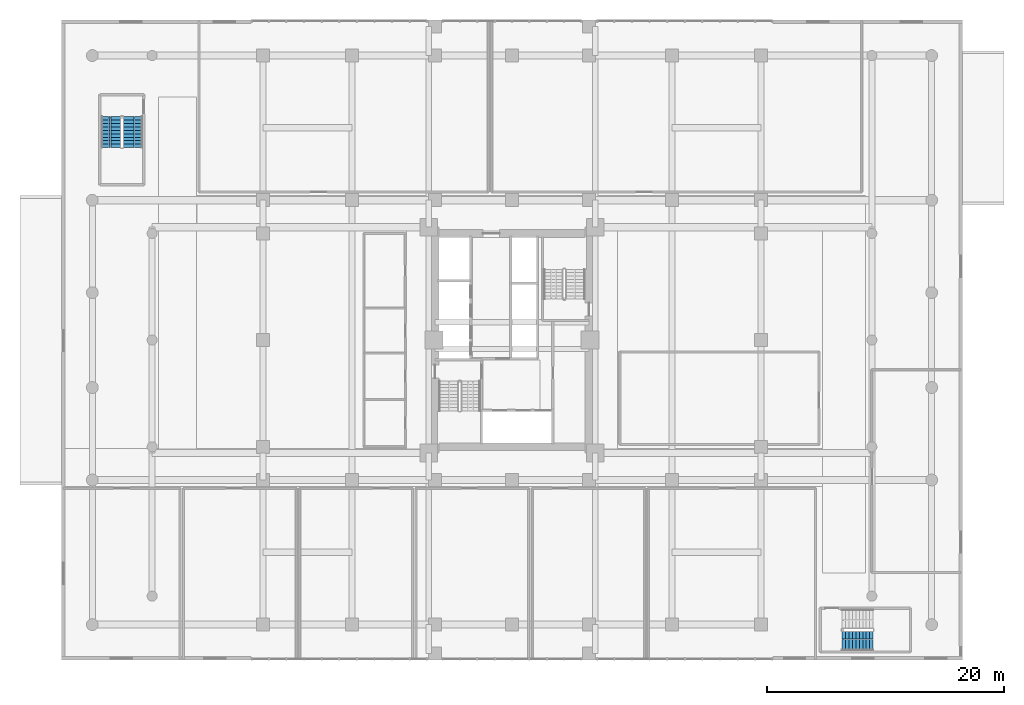
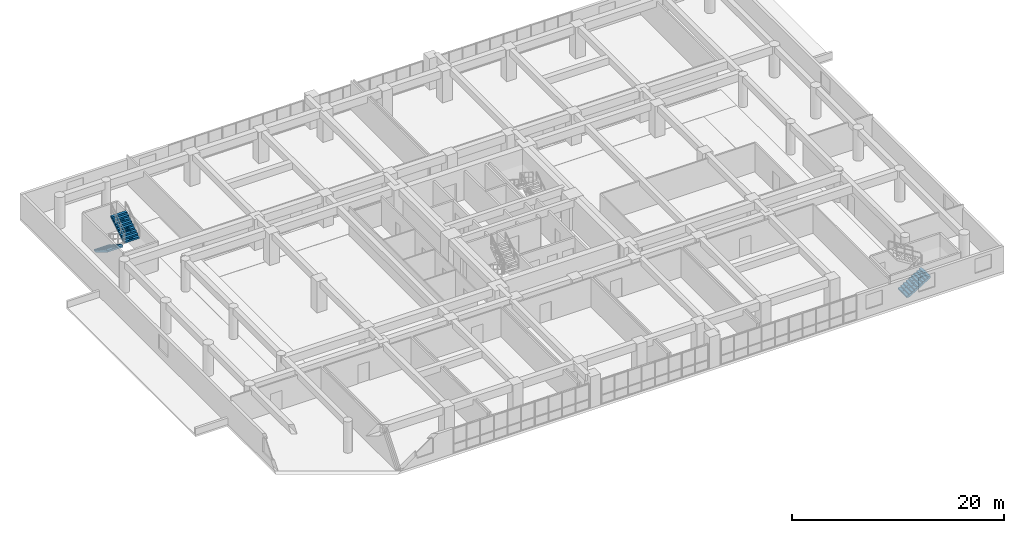
# One storey, part 20 of 27: 3 stair flights, 2 elements without a shape of their own.
"""IFC4 building model written with IfcOpenShell, lengths in metres."""

from ifc_helpers import new_model, si_unit, direction, frame, origin, place, context, subcontext, project, spatial, polyline, outline, extrude, material, type_object, element, aggregate, save


model = new_model("IFC4")

# Units and contexts
model_context = context("Model", 3, precision=1e-05, world=origin(), true_north=direction((0.0, 1.0)))
body_context = subcontext(model_context, "Body", "Model", "MODEL_VIEW")
ifc_project = project(units=[si_unit("LENGTHUNIT", "METRE"), si_unit("AREAUNIT", "SQUARE_METRE"), si_unit("VOLUMEUNIT", "CUBIC_METRE"), si_unit("PLANEANGLEUNIT", "RADIAN"), si_unit("MASSUNIT", "GRAM", prefix="KILO")], contexts=[model_context])

# Site, building, storey
site_placement = place(None, origin())
site = spatial("IfcSite", under=ifc_project, at=site_placement, CompositionType="ELEMENT")
building_placement = place(site_placement, origin())
building = spatial("IfcBuilding", under=site, at=building_placement, Name="Saelheon Loggia Tower", CompositionType="ELEMENT")
storey_placement = place(building_placement, frame((0.0, 0.0, 4.199951171875)))
storey = spatial("IfcBuildingStorey", under=building, at=storey_placement, Name="L01", CompositionType="ELEMENT", Elevation=4.199951171875)

# Stair, stair flights
ifc_material = material(Name="Concrete C40/50", Category="concrete")
stair_type = type_object("IfcStairType", Name="Stair_Escape_Podium", PredefinedType="HALF_TURN_STAIR", material=ifc_material)
stair_1_placement = place(storey_placement, origin())
stair_1 = element("IfcStair", 1, at=stair_1_placement, inside=storey, type_object=stair_type, Name="L01 Podium Escape Stair ST3", PredefinedType="HALF_TURN_STAIR")
stair_flight_type = type_object("IfcStairFlightType", Name="StairFlight_Podium_1660", PredefinedType="STRAIGHT", material=ifc_material)
stair_flight_1_placement = place(storey_placement, frame((4.179931640625, 45.85009765625, 0.0), z_axis=(0.0, 0.0, 1.0), x_axis=(0.0, -1.0, 0.0)))
stair_flight_1 = element("IfcStairFlight", 2, at=stair_flight_1_placement, type_object=stair_flight_type, Name="ST3 flight 1", NumberOfRisers=10, NumberOfTreads=9, PredefinedType="STRAIGHT", RiserHeight=0.18, TreadLength=0.29, context=body_context, shape_type="SweptSolid", body=[
    extrude(outline(polyline([(0.0, 0.0), (0.0, 0.179931640625), (0.2900390625, 0.179931640625), (0.2900390625, 0.360107421875), (0.580078125, 0.360107421875), (0.580078125, 0.5400390625), (0.8701171875, 0.5400390625), (0.8701171875, 0.719970703125), (1.159912109375, 0.719970703125), (1.159912109375, 0.89990234375), (1.449951171875, 0.89990234375), (1.449951171875, 1.080078125), (1.739990234375, 1.080078125), (1.739990234375, 1.260009765625), (2.030029296875, 1.260009765625), (2.030029296875, 1.43994140625), (2.320068359375, 1.43994140625), (2.320068359375, 1.6201171875), (2.610107421875, 1.6201171875), (2.610107421875, 1.800048828125), (2.610107421875, 1.408203125), (0.34130859375, 0.0), (0.0, 0.0)])), frame((0.0, -0.2490234375, 0.0), z_axis=(0.0, -1.0, 0.0), x_axis=(1.0, 0.0, 0.0)), (0.0, 0.0, 1.0), 0.5810546875),
    extrude(outline(polyline([(0.0, 0.0), (0.0, 0.179931640625), (0.2900390625, 0.179931640625), (0.2900390625, 0.360107421875), (0.580078125, 0.360107421875), (0.580078125, 0.5400390625), (0.8701171875, 0.5400390625), (0.8701171875, 0.719970703125), (1.159912109375, 0.719970703125), (1.159912109375, 0.89990234375), (1.449951171875, 0.89990234375), (1.449951171875, 1.080078125), (1.739990234375, 1.080078125), (1.739990234375, 1.260009765625), (2.030029296875, 1.260009765625), (2.030029296875, 1.43994140625), (2.320068359375, 1.43994140625), (2.320068359375, 1.6201171875), (2.610107421875, 1.6201171875), (2.610107421875, 1.800048828125), (2.610107421875, 1.408203125), (0.34130859375, 0.0), (0.0, 0.0)])), frame((0.0, -0.194091796875, 0.0), z_axis=(0.0, -1.0, 0.0), x_axis=(1.0, 0.0, 0.0)), (0.0, 0.0, 1.0), 0.0498046875),
    extrude(outline(polyline([(0.0, 0.0), (0.0, 0.179931640625), (0.2900390625, 0.179931640625), (0.2900390625, 0.360107421875), (0.580078125, 0.360107421875), (0.580078125, 0.5400390625), (0.8701171875, 0.5400390625), (0.8701171875, 0.719970703125), (1.159912109375, 0.719970703125), (1.159912109375, 0.89990234375), (1.449951171875, 0.89990234375), (1.449951171875, 1.080078125), (1.739990234375, 1.080078125), (1.739990234375, 1.260009765625), (2.030029296875, 1.260009765625), (2.030029296875, 1.43994140625), (2.320068359375, 1.43994140625), (2.320068359375, 1.6201171875), (2.610107421875, 1.6201171875), (2.610107421875, 1.800048828125), (2.610107421875, 1.408203125), (0.34130859375, 0.0), (0.0, 0.0)])), frame((0.0, -0.139404296875, 0.0), z_axis=(0.0, -1.0, 0.0), x_axis=(1.0, 0.0, 0.0)), (0.0, 0.0, 1.0), 0.0498046875),
    extrude(outline(polyline([(0.0, 0.0), (0.0, 0.179931640625), (0.2900390625, 0.179931640625), (0.2900390625, 0.360107421875), (0.580078125, 0.360107421875), (0.580078125, 0.5400390625), (0.8701171875, 0.5400390625), (0.8701171875, 0.719970703125), (1.159912109375, 0.719970703125), (1.159912109375, 0.89990234375), (1.449951171875, 0.89990234375), (1.449951171875, 1.080078125), (1.739990234375, 1.080078125), (1.739990234375, 1.260009765625), (2.030029296875, 1.260009765625), (2.030029296875, 1.43994140625), (2.320068359375, 1.43994140625), (2.320068359375, 1.6201171875), (2.610107421875, 1.6201171875), (2.610107421875, 1.800048828125), (2.610107421875, 1.408203125), (0.34130859375, 0.0), (0.0, 0.0)])), frame((0.0, -0.084716796875, 0.0), z_axis=(0.0, -1.0, 0.0), x_axis=(1.0, 0.0, 0.0)), (0.0, 0.0, 1.0), 0.0498046875),
    extrude(outline(polyline([(0.0, 0.0), (0.0, 0.179931640625), (0.2900390625, 0.179931640625), (0.2900390625, 0.360107421875), (0.580078125, 0.360107421875), (0.580078125, 0.5400390625), (0.8701171875, 0.5400390625), (0.8701171875, 0.719970703125), (1.159912109375, 0.719970703125), (1.159912109375, 0.89990234375), (1.449951171875, 0.89990234375), (1.449951171875, 1.080078125), (1.739990234375, 1.080078125), (1.739990234375, 1.260009765625), (2.030029296875, 1.260009765625), (2.030029296875, 1.43994140625), (2.320068359375, 1.43994140625), (2.320068359375, 1.6201171875), (2.610107421875, 1.6201171875), (2.610107421875, 1.800048828125), (2.610107421875, 1.408203125), (0.34130859375, 0.0), (0.0, 0.0)])), frame((0.0, -0.02978515625, 0.0), z_axis=(0.0, -1.0, 0.0), x_axis=(1.0, 0.0, 0.0)), (0.0, 0.0, 1.0), 0.0498046875),
    extrude(outline(polyline([(0.0, 0.0), (0.0, 0.179931640625), (0.2900390625, 0.179931640625), (0.2900390625, 0.360107421875), (0.580078125, 0.360107421875), (0.580078125, 0.5400390625), (0.8701171875, 0.5400390625), (0.8701171875, 0.719970703125), (1.159912109375, 0.719970703125), (1.159912109375, 0.89990234375), (1.449951171875, 0.89990234375), (1.449951171875, 1.080078125), (1.739990234375, 1.080078125), (1.739990234375, 1.260009765625), (2.030029296875, 1.260009765625), (2.030029296875, 1.43994140625), (2.320068359375, 1.43994140625), (2.320068359375, 1.6201171875), (2.610107421875, 1.6201171875), (2.610107421875, 1.800048828125), (2.610107421875, 1.408203125), (0.34130859375, 0.0), (0.0, 0.0)])), frame((0.0, 0.02490234375, 0.0), z_axis=(0.0, -1.0, 0.0), x_axis=(1.0, 0.0, 0.0)), (0.0, 0.0, 1.0), 0.0498046875),
    extrude(outline(polyline([(0.0, 0.0), (0.0, 0.179931640625), (0.2900390625, 0.179931640625), (0.2900390625, 0.360107421875), (0.580078125, 0.360107421875), (0.580078125, 0.5400390625), (0.8701171875, 0.5400390625), (0.8701171875, 0.719970703125), (1.159912109375, 0.719970703125), (1.159912109375, 0.89990234375), (1.449951171875, 0.89990234375), (1.449951171875, 1.080078125), (1.739990234375, 1.080078125), (1.739990234375, 1.260009765625), (2.030029296875, 1.260009765625), (2.030029296875, 1.43994140625), (2.320068359375, 1.43994140625), (2.320068359375, 1.6201171875), (2.610107421875, 1.6201171875), (2.610107421875, 1.800048828125), (2.610107421875, 1.408203125), (0.34130859375, 0.0), (0.0, 0.0)])), frame((0.0, 0.07958984375, 0.0), z_axis=(0.0, -1.0, 0.0), x_axis=(1.0, 0.0, 0.0)), (0.0, 0.0, 1.0), 0.0498046875),
    extrude(outline(polyline([(0.0, 0.0), (0.0, 0.179931640625), (0.2900390625, 0.179931640625), (0.2900390625, 0.360107421875), (0.580078125, 0.360107421875), (0.580078125, 0.5400390625), (0.8701171875, 0.5400390625), (0.8701171875, 0.719970703125), (1.159912109375, 0.719970703125), (1.159912109375, 0.89990234375), (1.449951171875, 0.89990234375), (1.449951171875, 1.080078125), (1.739990234375, 1.080078125), (1.739990234375, 1.260009765625), (2.030029296875, 1.260009765625), (2.030029296875, 1.43994140625), (2.320068359375, 1.43994140625), (2.320068359375, 1.6201171875), (2.610107421875, 1.6201171875), (2.610107421875, 1.800048828125), (2.610107421875, 1.408203125), (0.34130859375, 0.0), (0.0, 0.0)])), frame((0.0, 0.134521484375, 0.0), z_axis=(0.0, -1.0, 0.0), x_axis=(1.0, 0.0, 0.0)), (0.0, 0.0, 1.0), 0.0498046875),
    extrude(outline(polyline([(0.0, 0.0), (0.0, 0.179931640625), (0.2900390625, 0.179931640625), (0.2900390625, 0.360107421875), (0.580078125, 0.360107421875), (0.580078125, 0.5400390625), (0.8701171875, 0.5400390625), (0.8701171875, 0.719970703125), (1.159912109375, 0.719970703125), (1.159912109375, 0.89990234375), (1.449951171875, 0.89990234375), (1.449951171875, 1.080078125), (1.739990234375, 1.080078125), (1.739990234375, 1.260009765625), (2.030029296875, 1.260009765625), (2.030029296875, 1.43994140625), (2.320068359375, 1.43994140625), (2.320068359375, 1.6201171875), (2.610107421875, 1.6201171875), (2.610107421875, 1.800048828125), (2.610107421875, 1.408203125), (0.34130859375, 0.0), (0.0, 0.0)])), frame((0.0, 0.189208984375, 0.0), z_axis=(0.0, -1.0, 0.0), x_axis=(1.0, 0.0, 0.0)), (0.0, 0.0, 1.0), 0.0498046875),
    extrude(outline(polyline([(0.0, 0.0), (0.0, 0.179931640625), (0.2900390625, 0.179931640625), (0.2900390625, 0.360107421875), (0.580078125, 0.360107421875), (0.580078125, 0.5400390625), (0.8701171875, 0.5400390625), (0.8701171875, 0.719970703125), (1.159912109375, 0.719970703125), (1.159912109375, 0.89990234375), (1.449951171875, 0.89990234375), (1.449951171875, 1.080078125), (1.739990234375, 1.080078125), (1.739990234375, 1.260009765625), (2.030029296875, 1.260009765625), (2.030029296875, 1.43994140625), (2.320068359375, 1.43994140625), (2.320068359375, 1.6201171875), (2.610107421875, 1.6201171875), (2.610107421875, 1.800048828125), (2.610107421875, 1.408203125), (0.34130859375, 0.0), (0.0, 0.0)])), frame((0.0, 0.243896484375, 0.0), z_axis=(0.0, -1.0, 0.0), x_axis=(1.0, 0.0, 0.0)), (0.0, 0.0, 1.0), 0.0498046875),
    extrude(outline(polyline([(0.0, 0.0), (0.0, 0.179931640625), (0.2900390625, 0.179931640625), (0.2900390625, 0.360107421875), (0.580078125, 0.360107421875), (0.580078125, 0.5400390625), (0.8701171875, 0.5400390625), (0.8701171875, 0.719970703125), (1.159912109375, 0.719970703125), (1.159912109375, 0.89990234375), (1.449951171875, 0.89990234375), (1.449951171875, 1.080078125), (1.739990234375, 1.080078125), (1.739990234375, 1.260009765625), (2.030029296875, 1.260009765625), (2.030029296875, 1.43994140625), (2.320068359375, 1.43994140625), (2.320068359375, 1.6201171875), (2.610107421875, 1.6201171875), (2.610107421875, 1.800048828125), (2.610107421875, 1.408203125), (0.34130859375, 0.0), (0.0, 0.0)])), frame((0.0, 0.830078125, 0.0), z_axis=(0.0, -1.0, 0.0), x_axis=(1.0, 0.0, 0.0)), (0.0, 0.0, 1.0), 0.5810546875),
])
stair_flight_2_placement = place(storey_placement, frame((6.0, 43.239990234375, 1.800048828125), z_axis=(0.0, 0.0, 1.0), x_axis=(0.0, 1.0, 0.0)))
stair_flight_2 = element("IfcStairFlight", 3, at=stair_flight_2_placement, type_object=stair_flight_type, Name="ST3 flight 2", NumberOfRisers=10, NumberOfTreads=9, PredefinedType="STRAIGHT", RiserHeight=0.18, TreadLength=0.29, context=body_context, shape_type="SweptSolid", body=[
    extrude(outline(polyline([(0.0, 0.0), (0.0, 0.179931640625), (0.2900390625, 0.179931640625), (0.2900390625, 0.360107421875), (0.580078125, 0.360107421875), (0.580078125, 0.5400390625), (0.8701171875, 0.5400390625), (0.8701171875, 0.719970703125), (1.159912109375, 0.719970703125), (1.159912109375, 0.89990234375), (1.449951171875, 0.89990234375), (1.449951171875, 1.080078125), (1.739990234375, 1.080078125), (1.739990234375, 1.260009765625), (2.030029296875, 1.260009765625), (2.030029296875, 1.43994140625), (2.320068359375, 1.43994140625), (2.320068359375, 1.6201171875), (2.610107421875, 1.6201171875), (2.610107421875, 1.800048828125), (2.610107421875, 1.408203125), (0.34130859375, 0.0), (0.0, 0.0)])), frame((0.0, -0.2490234375, 0.0), z_axis=(0.0, -1.0, 0.0), x_axis=(1.0, 0.0, 0.0)), (0.0, 0.0, 1.0), 0.5810546875),
    extrude(outline(polyline([(0.0, 0.0), (0.0, 0.179931640625), (0.2900390625, 0.179931640625), (0.2900390625, 0.360107421875), (0.580078125, 0.360107421875), (0.580078125, 0.5400390625), (0.8701171875, 0.5400390625), (0.8701171875, 0.719970703125), (1.159912109375, 0.719970703125), (1.159912109375, 0.89990234375), (1.449951171875, 0.89990234375), (1.449951171875, 1.080078125), (1.739990234375, 1.080078125), (1.739990234375, 1.260009765625), (2.030029296875, 1.260009765625), (2.030029296875, 1.43994140625), (2.320068359375, 1.43994140625), (2.320068359375, 1.6201171875), (2.610107421875, 1.6201171875), (2.610107421875, 1.800048828125), (2.610107421875, 1.408203125), (0.34130859375, 0.0), (0.0, 0.0)])), frame((0.0, -0.194091796875, 0.0), z_axis=(0.0, -1.0, 0.0), x_axis=(1.0, 0.0, 0.0)), (0.0, 0.0, 1.0), 0.0498046875),
    extrude(outline(polyline([(0.0, 0.0), (0.0, 0.179931640625), (0.2900390625, 0.179931640625), (0.2900390625, 0.360107421875), (0.580078125, 0.360107421875), (0.580078125, 0.5400390625), (0.8701171875, 0.5400390625), (0.8701171875, 0.719970703125), (1.159912109375, 0.719970703125), (1.159912109375, 0.89990234375), (1.449951171875, 0.89990234375), (1.449951171875, 1.080078125), (1.739990234375, 1.080078125), (1.739990234375, 1.260009765625), (2.030029296875, 1.260009765625), (2.030029296875, 1.43994140625), (2.320068359375, 1.43994140625), (2.320068359375, 1.6201171875), (2.610107421875, 1.6201171875), (2.610107421875, 1.800048828125), (2.610107421875, 1.408203125), (0.34130859375, 0.0), (0.0, 0.0)])), frame((0.0, -0.139404296875, 0.0), z_axis=(0.0, -1.0, 0.0), x_axis=(1.0, 0.0, 0.0)), (0.0, 0.0, 1.0), 0.0498046875),
    extrude(outline(polyline([(0.0, 0.0), (0.0, 0.179931640625), (0.2900390625, 0.179931640625), (0.2900390625, 0.360107421875), (0.580078125, 0.360107421875), (0.580078125, 0.5400390625), (0.8701171875, 0.5400390625), (0.8701171875, 0.719970703125), (1.159912109375, 0.719970703125), (1.159912109375, 0.89990234375), (1.449951171875, 0.89990234375), (1.449951171875, 1.080078125), (1.739990234375, 1.080078125), (1.739990234375, 1.260009765625), (2.030029296875, 1.260009765625), (2.030029296875, 1.43994140625), (2.320068359375, 1.43994140625), (2.320068359375, 1.6201171875), (2.610107421875, 1.6201171875), (2.610107421875, 1.800048828125), (2.610107421875, 1.408203125), (0.34130859375, 0.0), (0.0, 0.0)])), frame((0.0, -0.084716796875, 0.0), z_axis=(0.0, -1.0, 0.0), x_axis=(1.0, 0.0, 0.0)), (0.0, 0.0, 1.0), 0.0498046875),
    extrude(outline(polyline([(0.0, 0.0), (0.0, 0.179931640625), (0.2900390625, 0.179931640625), (0.2900390625, 0.360107421875), (0.580078125, 0.360107421875), (0.580078125, 0.5400390625), (0.8701171875, 0.5400390625), (0.8701171875, 0.719970703125), (1.159912109375, 0.719970703125), (1.159912109375, 0.89990234375), (1.449951171875, 0.89990234375), (1.449951171875, 1.080078125), (1.739990234375, 1.080078125), (1.739990234375, 1.260009765625), (2.030029296875, 1.260009765625), (2.030029296875, 1.43994140625), (2.320068359375, 1.43994140625), (2.320068359375, 1.6201171875), (2.610107421875, 1.6201171875), (2.610107421875, 1.800048828125), (2.610107421875, 1.408203125), (0.34130859375, 0.0), (0.0, 0.0)])), frame((0.0, -0.02978515625, 0.0), z_axis=(0.0, -1.0, 0.0), x_axis=(1.0, 0.0, 0.0)), (0.0, 0.0, 1.0), 0.0498046875),
    extrude(outline(polyline([(0.0, 0.0), (0.0, 0.179931640625), (0.2900390625, 0.179931640625), (0.2900390625, 0.360107421875), (0.580078125, 0.360107421875), (0.580078125, 0.5400390625), (0.8701171875, 0.5400390625), (0.8701171875, 0.719970703125), (1.159912109375, 0.719970703125), (1.159912109375, 0.89990234375), (1.449951171875, 0.89990234375), (1.449951171875, 1.080078125), (1.739990234375, 1.080078125), (1.739990234375, 1.260009765625), (2.030029296875, 1.260009765625), (2.030029296875, 1.43994140625), (2.320068359375, 1.43994140625), (2.320068359375, 1.6201171875), (2.610107421875, 1.6201171875), (2.610107421875, 1.800048828125), (2.610107421875, 1.408203125), (0.34130859375, 0.0), (0.0, 0.0)])), frame((0.0, 0.02490234375, 0.0), z_axis=(0.0, -1.0, 0.0), x_axis=(1.0, 0.0, 0.0)), (0.0, 0.0, 1.0), 0.0498046875),
    extrude(outline(polyline([(0.0, 0.0), (0.0, 0.179931640625), (0.2900390625, 0.179931640625), (0.2900390625, 0.360107421875), (0.580078125, 0.360107421875), (0.580078125, 0.5400390625), (0.8701171875, 0.5400390625), (0.8701171875, 0.719970703125), (1.159912109375, 0.719970703125), (1.159912109375, 0.89990234375), (1.449951171875, 0.89990234375), (1.449951171875, 1.080078125), (1.739990234375, 1.080078125), (1.739990234375, 1.260009765625), (2.030029296875, 1.260009765625), (2.030029296875, 1.43994140625), (2.320068359375, 1.43994140625), (2.320068359375, 1.6201171875), (2.610107421875, 1.6201171875), (2.610107421875, 1.800048828125), (2.610107421875, 1.408203125), (0.34130859375, 0.0), (0.0, 0.0)])), frame((0.0, 0.07958984375, 0.0), z_axis=(0.0, -1.0, 0.0), x_axis=(1.0, 0.0, 0.0)), (0.0, 0.0, 1.0), 0.0498046875),
    extrude(outline(polyline([(0.0, 0.0), (0.0, 0.179931640625), (0.2900390625, 0.179931640625), (0.2900390625, 0.360107421875), (0.580078125, 0.360107421875), (0.580078125, 0.5400390625), (0.8701171875, 0.5400390625), (0.8701171875, 0.719970703125), (1.159912109375, 0.719970703125), (1.159912109375, 0.89990234375), (1.449951171875, 0.89990234375), (1.449951171875, 1.080078125), (1.739990234375, 1.080078125), (1.739990234375, 1.260009765625), (2.030029296875, 1.260009765625), (2.030029296875, 1.43994140625), (2.320068359375, 1.43994140625), (2.320068359375, 1.6201171875), (2.610107421875, 1.6201171875), (2.610107421875, 1.800048828125), (2.610107421875, 1.408203125), (0.34130859375, 0.0), (0.0, 0.0)])), frame((0.0, 0.134521484375, 0.0), z_axis=(0.0, -1.0, 0.0), x_axis=(1.0, 0.0, 0.0)), (0.0, 0.0, 1.0), 0.0498046875),
    extrude(outline(polyline([(0.0, 0.0), (0.0, 0.179931640625), (0.2900390625, 0.179931640625), (0.2900390625, 0.360107421875), (0.580078125, 0.360107421875), (0.580078125, 0.5400390625), (0.8701171875, 0.5400390625), (0.8701171875, 0.719970703125), (1.159912109375, 0.719970703125), (1.159912109375, 0.89990234375), (1.449951171875, 0.89990234375), (1.449951171875, 1.080078125), (1.739990234375, 1.080078125), (1.739990234375, 1.260009765625), (2.030029296875, 1.260009765625), (2.030029296875, 1.43994140625), (2.320068359375, 1.43994140625), (2.320068359375, 1.6201171875), (2.610107421875, 1.6201171875), (2.610107421875, 1.800048828125), (2.610107421875, 1.408203125), (0.34130859375, 0.0), (0.0, 0.0)])), frame((0.0, 0.189208984375, 0.0), z_axis=(0.0, -1.0, 0.0), x_axis=(1.0, 0.0, 0.0)), (0.0, 0.0, 1.0), 0.0498046875),
    extrude(outline(polyline([(0.0, 0.0), (0.0, 0.179931640625), (0.2900390625, 0.179931640625), (0.2900390625, 0.360107421875), (0.580078125, 0.360107421875), (0.580078125, 0.5400390625), (0.8701171875, 0.5400390625), (0.8701171875, 0.719970703125), (1.159912109375, 0.719970703125), (1.159912109375, 0.89990234375), (1.449951171875, 0.89990234375), (1.449951171875, 1.080078125), (1.739990234375, 1.080078125), (1.739990234375, 1.260009765625), (2.030029296875, 1.260009765625), (2.030029296875, 1.43994140625), (2.320068359375, 1.43994140625), (2.320068359375, 1.6201171875), (2.610107421875, 1.6201171875), (2.610107421875, 1.800048828125), (2.610107421875, 1.408203125), (0.34130859375, 0.0), (0.0, 0.0)])), frame((0.0, 0.243896484375, 0.0), z_axis=(0.0, -1.0, 0.0), x_axis=(1.0, 0.0, 0.0)), (0.0, 0.0, 1.0), 0.0498046875),
    extrude(outline(polyline([(0.0, 0.0), (0.0, 0.179931640625), (0.2900390625, 0.179931640625), (0.2900390625, 0.360107421875), (0.580078125, 0.360107421875), (0.580078125, 0.5400390625), (0.8701171875, 0.5400390625), (0.8701171875, 0.719970703125), (1.159912109375, 0.719970703125), (1.159912109375, 0.89990234375), (1.449951171875, 0.89990234375), (1.449951171875, 1.080078125), (1.739990234375, 1.080078125), (1.739990234375, 1.260009765625), (2.030029296875, 1.260009765625), (2.030029296875, 1.43994140625), (2.320068359375, 1.43994140625), (2.320068359375, 1.6201171875), (2.610107421875, 1.6201171875), (2.610107421875, 1.800048828125), (2.610107421875, 1.408203125), (0.34130859375, 0.0), (0.0, 0.0)])), frame((0.0, 0.830078125, 0.0), z_axis=(0.0, -1.0, 0.0), x_axis=(1.0, 0.0, 0.0)), (0.0, 0.0, 1.0), 0.5810546875),
])
aggregate(stair_1, [stair_flight_1, stair_flight_2])

# Stair, stair flight
stair_2_placement = place(storey_placement, origin())
stair_2 = element("IfcStair", 4, at=stair_2_placement, inside=storey, type_object=stair_type, Name="L01 Podium Escape Stair ST4", PredefinedType="HALF_TURN_STAIR")
stair_flight_3_placement = place(storey_placement, frame((65.85009765625, 1.6298828125, 0.0), z_axis=(0.0, 0.0, 1.0), x_axis=(1.0, 0.0, 0.0)))
stair_flight_3 = element("IfcStairFlight", 5, at=stair_flight_3_placement, type_object=stair_flight_type, Name="ST4 flight 1", NumberOfRisers=10, NumberOfTreads=9, PredefinedType="STRAIGHT", RiserHeight=0.18, TreadLength=0.29, context=body_context, shape_type="SweptSolid", body=[
    extrude(outline(polyline([(0.0, 0.0), (0.0, 0.179931640625), (0.2900390625, 0.179931640625), (0.2900390625, 0.360107421875), (0.580078125, 0.360107421875), (0.580078125, 0.5400390625), (0.8701171875, 0.5400390625), (0.8701171875, 0.719970703125), (1.159912109375, 0.719970703125), (1.159912109375, 0.89990234375), (1.449951171875, 0.89990234375), (1.449951171875, 1.080078125), (1.739990234375, 1.080078125), (1.739990234375, 1.260009765625), (2.030029296875, 1.260009765625), (2.030029296875, 1.43994140625), (2.320068359375, 1.43994140625), (2.320068359375, 1.6201171875), (2.610107421875, 1.6201171875), (2.610107421875, 1.800048828125), (2.610107421875, 1.408203125), (0.34130859375, 0.0), (0.0, 0.0)])), frame((0.0, -0.2490234375, 0.0), z_axis=(0.0, -1.0, 0.0), x_axis=(1.0, 0.0, 0.0)), (0.0, 0.0, 1.0), 0.5810546875),
    extrude(outline(polyline([(0.0, 0.0), (0.0, 0.179931640625), (0.2900390625, 0.179931640625), (0.2900390625, 0.360107421875), (0.580078125, 0.360107421875), (0.580078125, 0.5400390625), (0.8701171875, 0.5400390625), (0.8701171875, 0.719970703125), (1.159912109375, 0.719970703125), (1.159912109375, 0.89990234375), (1.449951171875, 0.89990234375), (1.449951171875, 1.080078125), (1.739990234375, 1.080078125), (1.739990234375, 1.260009765625), (2.030029296875, 1.260009765625), (2.030029296875, 1.43994140625), (2.320068359375, 1.43994140625), (2.320068359375, 1.6201171875), (2.610107421875, 1.6201171875), (2.610107421875, 1.800048828125), (2.610107421875, 1.408203125), (0.34130859375, 0.0), (0.0, 0.0)])), frame((0.0, -0.194091796875, 0.0), z_axis=(0.0, -1.0, 0.0), x_axis=(1.0, 0.0, 0.0)), (0.0, 0.0, 1.0), 0.0498046875),
    extrude(outline(polyline([(0.0, 0.0), (0.0, 0.179931640625), (0.2900390625, 0.179931640625), (0.2900390625, 0.360107421875), (0.580078125, 0.360107421875), (0.580078125, 0.5400390625), (0.8701171875, 0.5400390625), (0.8701171875, 0.719970703125), (1.159912109375, 0.719970703125), (1.159912109375, 0.89990234375), (1.449951171875, 0.89990234375), (1.449951171875, 1.080078125), (1.739990234375, 1.080078125), (1.739990234375, 1.260009765625), (2.030029296875, 1.260009765625), (2.030029296875, 1.43994140625), (2.320068359375, 1.43994140625), (2.320068359375, 1.6201171875), (2.610107421875, 1.6201171875), (2.610107421875, 1.800048828125), (2.610107421875, 1.408203125), (0.34130859375, 0.0), (0.0, 0.0)])), frame((0.0, -0.139404296875, 0.0), z_axis=(0.0, -1.0, 0.0), x_axis=(1.0, 0.0, 0.0)), (0.0, 0.0, 1.0), 0.0498046875),
    extrude(outline(polyline([(0.0, 0.0), (0.0, 0.179931640625), (0.2900390625, 0.179931640625), (0.2900390625, 0.360107421875), (0.580078125, 0.360107421875), (0.580078125, 0.5400390625), (0.8701171875, 0.5400390625), (0.8701171875, 0.719970703125), (1.159912109375, 0.719970703125), (1.159912109375, 0.89990234375), (1.449951171875, 0.89990234375), (1.449951171875, 1.080078125), (1.739990234375, 1.080078125), (1.739990234375, 1.260009765625), (2.030029296875, 1.260009765625), (2.030029296875, 1.43994140625), (2.320068359375, 1.43994140625), (2.320068359375, 1.6201171875), (2.610107421875, 1.6201171875), (2.610107421875, 1.800048828125), (2.610107421875, 1.408203125), (0.34130859375, 0.0), (0.0, 0.0)])), frame((0.0, -0.084716796875, 0.0), z_axis=(0.0, -1.0, 0.0), x_axis=(1.0, 0.0, 0.0)), (0.0, 0.0, 1.0), 0.0498046875),
    extrude(outline(polyline([(0.0, 0.0), (0.0, 0.179931640625), (0.2900390625, 0.179931640625), (0.2900390625, 0.360107421875), (0.580078125, 0.360107421875), (0.580078125, 0.5400390625), (0.8701171875, 0.5400390625), (0.8701171875, 0.719970703125), (1.159912109375, 0.719970703125), (1.159912109375, 0.89990234375), (1.449951171875, 0.89990234375), (1.449951171875, 1.080078125), (1.739990234375, 1.080078125), (1.739990234375, 1.260009765625), (2.030029296875, 1.260009765625), (2.030029296875, 1.43994140625), (2.320068359375, 1.43994140625), (2.320068359375, 1.6201171875), (2.610107421875, 1.6201171875), (2.610107421875, 1.800048828125), (2.610107421875, 1.408203125), (0.34130859375, 0.0), (0.0, 0.0)])), frame((0.0, -0.02978515625, 0.0), z_axis=(0.0, -1.0, 0.0), x_axis=(1.0, 0.0, 0.0)), (0.0, 0.0, 1.0), 0.0498046875),
    extrude(outline(polyline([(0.0, 0.0), (0.0, 0.179931640625), (0.2900390625, 0.179931640625), (0.2900390625, 0.360107421875), (0.580078125, 0.360107421875), (0.580078125, 0.5400390625), (0.8701171875, 0.5400390625), (0.8701171875, 0.719970703125), (1.159912109375, 0.719970703125), (1.159912109375, 0.89990234375), (1.449951171875, 0.89990234375), (1.449951171875, 1.080078125), (1.739990234375, 1.080078125), (1.739990234375, 1.260009765625), (2.030029296875, 1.260009765625), (2.030029296875, 1.43994140625), (2.320068359375, 1.43994140625), (2.320068359375, 1.6201171875), (2.610107421875, 1.6201171875), (2.610107421875, 1.800048828125), (2.610107421875, 1.408203125), (0.34130859375, 0.0), (0.0, 0.0)])), frame((0.0, 0.02490234375, 0.0), z_axis=(0.0, -1.0, 0.0), x_axis=(1.0, 0.0, 0.0)), (0.0, 0.0, 1.0), 0.0498046875),
    extrude(outline(polyline([(0.0, 0.0), (0.0, 0.179931640625), (0.2900390625, 0.179931640625), (0.2900390625, 0.360107421875), (0.580078125, 0.360107421875), (0.580078125, 0.5400390625), (0.8701171875, 0.5400390625), (0.8701171875, 0.719970703125), (1.159912109375, 0.719970703125), (1.159912109375, 0.89990234375), (1.449951171875, 0.89990234375), (1.449951171875, 1.080078125), (1.739990234375, 1.080078125), (1.739990234375, 1.260009765625), (2.030029296875, 1.260009765625), (2.030029296875, 1.43994140625), (2.320068359375, 1.43994140625), (2.320068359375, 1.6201171875), (2.610107421875, 1.6201171875), (2.610107421875, 1.800048828125), (2.610107421875, 1.408203125), (0.34130859375, 0.0), (0.0, 0.0)])), frame((0.0, 0.07958984375, 0.0), z_axis=(0.0, -1.0, 0.0), x_axis=(1.0, 0.0, 0.0)), (0.0, 0.0, 1.0), 0.0498046875),
    extrude(outline(polyline([(0.0, 0.0), (0.0, 0.179931640625), (0.2900390625, 0.179931640625), (0.2900390625, 0.360107421875), (0.580078125, 0.360107421875), (0.580078125, 0.5400390625), (0.8701171875, 0.5400390625), (0.8701171875, 0.719970703125), (1.159912109375, 0.719970703125), (1.159912109375, 0.89990234375), (1.449951171875, 0.89990234375), (1.449951171875, 1.080078125), (1.739990234375, 1.080078125), (1.739990234375, 1.260009765625), (2.030029296875, 1.260009765625), (2.030029296875, 1.43994140625), (2.320068359375, 1.43994140625), (2.320068359375, 1.6201171875), (2.610107421875, 1.6201171875), (2.610107421875, 1.800048828125), (2.610107421875, 1.408203125), (0.34130859375, 0.0), (0.0, 0.0)])), frame((0.0, 0.134521484375, 0.0), z_axis=(0.0, -1.0, 0.0), x_axis=(1.0, 0.0, 0.0)), (0.0, 0.0, 1.0), 0.0498046875),
    extrude(outline(polyline([(0.0, 0.0), (0.0, 0.179931640625), (0.2900390625, 0.179931640625), (0.2900390625, 0.360107421875), (0.580078125, 0.360107421875), (0.580078125, 0.5400390625), (0.8701171875, 0.5400390625), (0.8701171875, 0.719970703125), (1.159912109375, 0.719970703125), (1.159912109375, 0.89990234375), (1.449951171875, 0.89990234375), (1.449951171875, 1.080078125), (1.739990234375, 1.080078125), (1.739990234375, 1.260009765625), (2.030029296875, 1.260009765625), (2.030029296875, 1.43994140625), (2.320068359375, 1.43994140625), (2.320068359375, 1.6201171875), (2.610107421875, 1.6201171875), (2.610107421875, 1.800048828125), (2.610107421875, 1.408203125), (0.34130859375, 0.0), (0.0, 0.0)])), frame((0.0, 0.189208984375, 0.0), z_axis=(0.0, -1.0, 0.0), x_axis=(1.0, 0.0, 0.0)), (0.0, 0.0, 1.0), 0.0498046875),
    extrude(outline(polyline([(0.0, 0.0), (0.0, 0.179931640625), (0.2900390625, 0.179931640625), (0.2900390625, 0.360107421875), (0.580078125, 0.360107421875), (0.580078125, 0.5400390625), (0.8701171875, 0.5400390625), (0.8701171875, 0.719970703125), (1.159912109375, 0.719970703125), (1.159912109375, 0.89990234375), (1.449951171875, 0.89990234375), (1.449951171875, 1.080078125), (1.739990234375, 1.080078125), (1.739990234375, 1.260009765625), (2.030029296875, 1.260009765625), (2.030029296875, 1.43994140625), (2.320068359375, 1.43994140625), (2.320068359375, 1.6201171875), (2.610107421875, 1.6201171875), (2.610107421875, 1.800048828125), (2.610107421875, 1.408203125), (0.34130859375, 0.0), (0.0, 0.0)])), frame((0.0, 0.243896484375, 0.0), z_axis=(0.0, -1.0, 0.0), x_axis=(1.0, 0.0, 0.0)), (0.0, 0.0, 1.0), 0.0498046875),
    extrude(outline(polyline([(0.0, 0.0), (0.0, 0.179931640625), (0.2900390625, 0.179931640625), (0.2900390625, 0.360107421875), (0.580078125, 0.360107421875), (0.580078125, 0.5400390625), (0.8701171875, 0.5400390625), (0.8701171875, 0.719970703125), (1.159912109375, 0.719970703125), (1.159912109375, 0.89990234375), (1.449951171875, 0.89990234375), (1.449951171875, 1.080078125), (1.739990234375, 1.080078125), (1.739990234375, 1.260009765625), (2.030029296875, 1.260009765625), (2.030029296875, 1.43994140625), (2.320068359375, 1.43994140625), (2.320068359375, 1.6201171875), (2.610107421875, 1.6201171875), (2.610107421875, 1.800048828125), (2.610107421875, 1.408203125), (0.34130859375, 0.0), (0.0, 0.0)])), frame((0.0, 0.830078125, 0.0), z_axis=(0.0, -1.0, 0.0), x_axis=(1.0, 0.0, 0.0)), (0.0, 0.0, 1.0), 0.5810546875),
])
aggregate(stair_2, [stair_flight_3])

save(model, "model.ifc")
